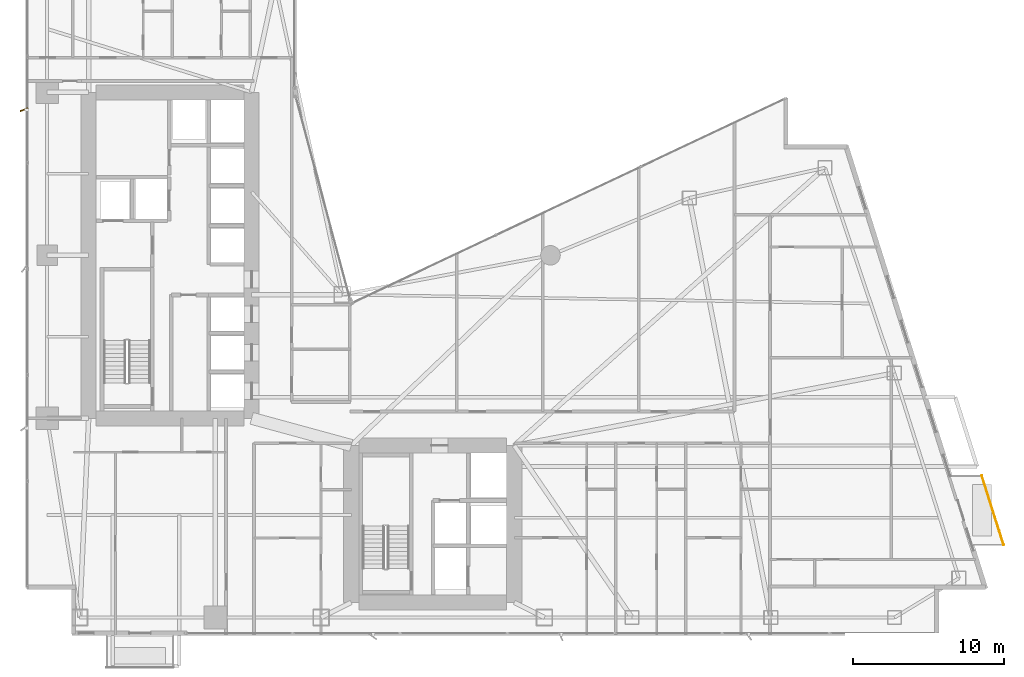
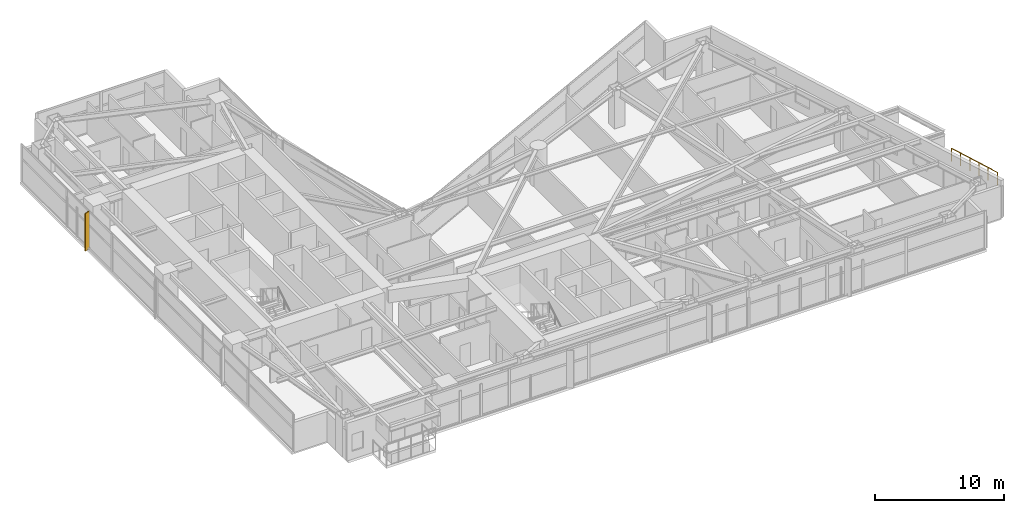
# One storey, part 30 of 30: 1 railing, 1 shading device.
"""IFC4 building model written with IfcOpenShell, lengths in metres."""

from ifc_helpers import new_model, si_unit, direction, frame, origin, origin_2d, place, context, subcontext, project, spatial, rectangle, circle, extrude, material, type_object, element, save


model = new_model("IFC4")

# Units and contexts
model_context = context("Model", 3, precision=1e-05, world=origin(), true_north=direction((0.0, 1.0)))
body_context = subcontext(model_context, "Body", "Model", "MODEL_VIEW")
ifc_project = project(units=[si_unit("LENGTHUNIT", "METRE"), si_unit("AREAUNIT", "SQUARE_METRE"), si_unit("VOLUMEUNIT", "CUBIC_METRE"), si_unit("PLANEANGLEUNIT", "RADIAN"), si_unit("MASSUNIT", "GRAM", prefix="KILO")], contexts=[model_context])

# Site, building, storey
site_placement = place(None, origin())
site = spatial("IfcSite", under=ifc_project, at=site_placement, CompositionType="ELEMENT")
building_placement = place(site_placement, origin())
building = spatial("IfcBuilding", under=site, at=building_placement, Name="Calvorn Quay Hotel", CompositionType="ELEMENT")
storey_placement = place(building_placement, frame((0.0, 0.0, 54.60009765625)))
storey = spatial("IfcBuildingStorey", under=building, at=storey_placement, Name="L12", CompositionType="ELEMENT", Elevation=54.60009765625)

# Railing
ifc_material_1 = material(Name="Pale Anodised Aluminium and Laminated Glass", Category="aluminium")
railing_type = type_object("IfcRailingType", Name="RLG-BALUSTRADE-1200", PredefinedType="BALUSTRADE", material=ifc_material_1)
railing_placement = place(storey_placement, frame((64.827880859375, 8.39990234375, 0.89990234375)))
element("IfcRailing", 1, at=railing_placement, inside=storey, type_object=railing_type, Name="Planter Kerb High Safety Screen L12-BALC-E", PredefinedType="BALUSTRADE", context=body_context, shape_type="SweptSolid", body=[
    extrude(circle(Radius=0.02392578125, at=origin_2d()), frame((0.0, 0.0, 1.19580078125), z_axis=(-0.300620172346, 0.953743944662, 0.0), x_axis=(-0.953743944662, -0.300620172346, 0.0)), (0.0, 0.0, 1.0), 4.8232421875),
    extrude(circle(Radius=0.02099609375, at=origin_2d()), origin(), (0.0, 0.0, 1.0), 1.171875),
    extrude(circle(Radius=0.02099609375, at=origin_2d()), frame((-0.2900390625, 0.919921875, 0.0)), (0.0, 0.0, 1.0), 1.171875),
    extrude(circle(Radius=0.02099609375, at=origin_2d()), frame((-0.580078125, 1.840087890625, 0.0)), (0.0, 0.0, 1.0), 1.171875),
    extrude(circle(Radius=0.02099609375, at=origin_2d()), frame((-0.869873046875, 2.760009765625, 0.0)), (0.0, 0.0, 1.0), 1.171875),
    extrude(circle(Radius=0.02099609375, at=origin_2d()), frame((-1.159912109375, 3.68017578125, 0.0)), (0.0, 0.0, 1.0), 1.171875),
    extrude(circle(Radius=0.02099609375, at=origin_2d()), frame((-1.449951171875, 4.60009765625, 0.0)), (0.0, 0.0, 1.0), 1.171875),
])

# Shading device
ifc_material_2 = material(Name="Champagne Bronze Anodised Aluminium 6063-T6", Category="aluminium")
shading_device_type = type_object("IfcShadingDeviceType", Name="SHD-FIN-A1", PredefinedType="USERDEFINED", material=ifc_material_2)
shading_device_placement = place(storey_placement, frame((-0.080078125, 37.25, -0.000244140625), z_axis=(0.0, 0.0, 1.0), x_axis=(0.927183854567, 0.374606593416, 0.0)))
element("IfcShadingDevice", 2, at=shading_device_placement, inside=storey, type_object=shading_device_type, Name="Diagonal Sun-Shading Fin L12-W03", ObjectType="FIN", PredefinedType="USERDEFINED", context=body_context, shape_type="SweptSolid", body=[
    extrude(rectangle(XDim=0.550048828125, YDim=0.080078125, at=origin_2d()), origin(), (0.0, 0.0, 1.0), 3.56005859375),
])

save(model, "model.ifc")
